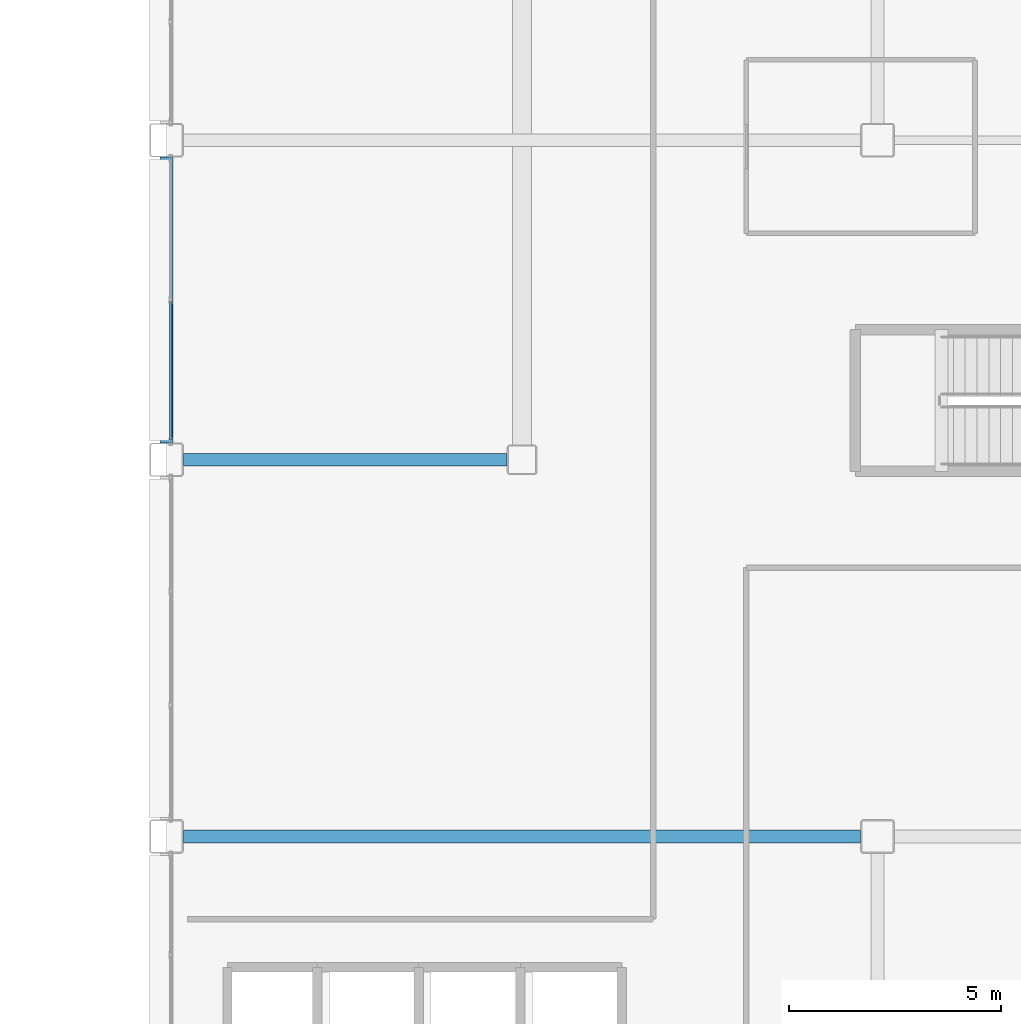
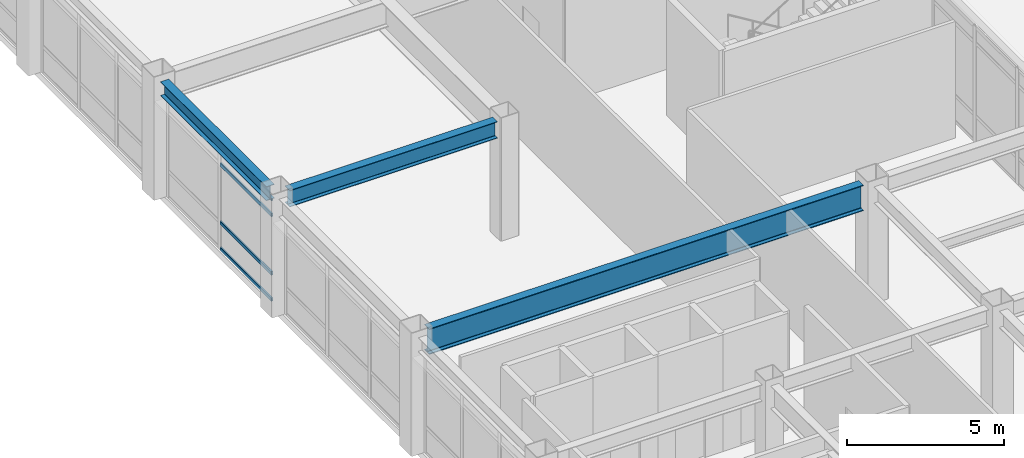
# One storey, part 111 of 172: 4 members, 3 beams, 1 element without a shape of its own.
"""IFC4 building model written with IfcOpenShell, lengths in metres."""

from ifc_helpers import new_model, si_unit, direction, frame, origin, origin_2d, place, context, subcontext, project, spatial, hollow_rectangle, i_section, extrude, material, layer, layer_set, material_profile, profile_set, type_object, element, aggregate, save


model = new_model("IFC4")

# Units and contexts
model_context = context("Model", 3, precision=1e-05, world=origin(), true_north=direction((0.0, 1.0)))
body_context = subcontext(model_context, "Body", "Model", "MODEL_VIEW")
ifc_project = project(units=[si_unit("LENGTHUNIT", "METRE"), si_unit("AREAUNIT", "SQUARE_METRE"), si_unit("VOLUMEUNIT", "CUBIC_METRE"), si_unit("PLANEANGLEUNIT", "RADIAN"), si_unit("MASSUNIT", "GRAM", prefix="KILO")], contexts=[model_context])

# Site, building, storey
site_placement = place(None, origin())
site = spatial("IfcSite", under=ifc_project, at=site_placement, CompositionType="ELEMENT")
building_placement = place(site_placement, origin())
building = spatial("IfcBuilding", under=site, at=building_placement, Name="Kazehara Bluff Congress Hotel", CompositionType="ELEMENT")
storey_placement = place(building_placement, frame((0.0, 0.0, 5.39990234375)))
storey = spatial("IfcBuildingStorey", under=building, at=storey_placement, Name="L01", CompositionType="ELEMENT", Elevation=5.39990234375)

# Curtain wall, members
ifc_material_1 = material(Name="Anodised aluminium", Category="aluminium")
ifc_layer = layer(ifc_material_1, 0.159912109375)
ifc_layer_set = layer_set([ifc_layer], Name="Anodised aluminium")
curtain_wall_type = type_object("IfcCurtainWallType", Name="TP-CW-122", PredefinedType="NOTDEFINED", material=ifc_layer_set)
curtain_wall_placement = place(storey_placement, origin())
curtain_wall = element("IfcCurtainWall", 1, at=curtain_wall_placement, inside=storey, type_object=curtain_wall_type, Name="L01 curtain wall CW-122 CW-ENC-V5-L01-14380-7712", PredefinedType="NOTDEFINED")
ifc_material_2 = material(Name="Anodised aluminium", Category="aluminium")
ifc_material_profile_1 = material_profile(ifc_material_2, hollow_rectangle(XDim=0.06494140625, YDim=0.139892578125, WallThickness=0.00390625, InnerFilletRadius=0.00390625, OuterFilletRadius=0.008056640625, at=origin_2d()))
ifc_profile_set_1 = profile_set([ifc_material_profile_1], Name="Anodised aluminium")
member_type = type_object("IfcMemberType", Name="TP-CWT-02", PredefinedType="USERDEFINED", material=ifc_profile_set_1)
member_1_placement = place(storey_placement, frame((143.800048828125, 73.81494140625, 0.03271484375), z_axis=(0.0, 1.0, 0.0), x_axis=(-1.0, 0.0, 0.0)))
member_1 = element("IfcMember", 2, at=member_1_placement, type_object=member_type, Name="CW-122 transom 1.1", ObjectType="TRANSOM", PredefinedType="USERDEFINED", context=body_context, shape_type="SweptSolid", body=[
    extrude(hollow_rectangle(XDim=0.06494140625, YDim=0.139892578125, WallThickness=0.00390625, InnerFilletRadius=0.00390625, OuterFilletRadius=0.008056640625, at=origin_2d()), origin(), (0.0, 0.0, 1.0), 3.277587890625),
])
member_2_placement = place(storey_placement, frame((143.800048828125, 73.81494140625, 1.050048828125), z_axis=(0.0, 1.0, 0.0), x_axis=(-1.0, 0.0, 0.0)))
member_2 = element("IfcMember", 3, at=member_2_placement, type_object=member_type, Name="CW-122 transom 1.2", ObjectType="TRANSOM", PredefinedType="USERDEFINED", context=body_context, shape_type="SweptSolid", body=[
    extrude(hollow_rectangle(XDim=0.06494140625, YDim=0.139892578125, WallThickness=0.00390625, InnerFilletRadius=0.00390625, OuterFilletRadius=0.008056640625, at=origin_2d()), origin(), (0.0, 0.0, 1.0), 3.277587890625),
])
member_3_placement = place(storey_placement, frame((143.800048828125, 73.81494140625, 3.3251953125), z_axis=(0.0, 1.0, 0.0), x_axis=(-1.0, 0.0, 0.0)))
member_3 = element("IfcMember", 4, at=member_3_placement, type_object=member_type, Name="CW-122 transom 1.3", ObjectType="TRANSOM", PredefinedType="USERDEFINED", context=body_context, shape_type="SweptSolid", body=[
    extrude(hollow_rectangle(XDim=0.06494140625, YDim=0.139892578125, WallThickness=0.00390625, InnerFilletRadius=0.00390625, OuterFilletRadius=0.008056640625, at=origin_2d()), origin(), (0.0, 0.0, 1.0), 3.277587890625),
])
member_4_placement = place(storey_placement, frame((143.800048828125, 73.81494140625, 3.942626953125), z_axis=(0.0, 1.0, 0.0), x_axis=(-1.0, 0.0, 0.0)))
member_4 = element("IfcMember", 5, at=member_4_placement, type_object=member_type, Name="CW-122 transom 1.4", ObjectType="TRANSOM", PredefinedType="USERDEFINED", context=body_context, shape_type="SweptSolid", body=[
    extrude(hollow_rectangle(XDim=0.06494140625, YDim=0.139892578125, WallThickness=0.00390625, InnerFilletRadius=0.00390625, OuterFilletRadius=0.008056640625, at=origin_2d()), origin(), (0.0, 0.0, 1.0), 3.277587890625),
])
aggregate(curtain_wall, [member_1, member_2, member_3, member_4])

# Beams
ifc_material_3 = material(Name="Steel SN490B", Category="steel")
ifc_material_profile_2 = material_profile(ifc_material_3, i_section(OverallWidth=0.300048828125, OverallDepth=0.64990234375, WebThickness=0.011962890625, FlangeThickness=0.02001953125, FilletRadius=0.012939453125, at=origin_2d()))
ifc_profile_set_2 = profile_set([ifc_material_profile_2], Name="Steel SN490B")
beam_type_1 = type_object("IfcBeamType", Name="TP-G-03", PredefinedType="BEAM", material=ifc_profile_set_2)
beam_1_placement = place(storey_placement, frame((144.10009765625, 73.35009765625, 4.22509765625), z_axis=(1.0, 0.0, 0.0), x_axis=(0.0, 1.0, 0.0)))
element("IfcBeam", 6, at=beam_1_placement, inside=storey, type_object=beam_type_1, Name="L01 girder G-03 305", PredefinedType="BEAM", context=body_context, shape_type="SweptSolid", body=[
    extrude(i_section(OverallWidth=0.300048828125, OverallDepth=0.64990234375, WebThickness=0.011962890625, FlangeThickness=0.02001953125, FilletRadius=0.012939453125, at=origin_2d()), origin(), (0.0, 0.0, 1.0), 7.64990234375),
])
ifc_material_4 = material(Name="Steel SN490B", Category="steel")
ifc_material_profile_3 = material_profile(ifc_material_4, i_section(OverallWidth=0.300048828125, OverallDepth=1.0, WebThickness=0.01611328125, FlangeThickness=0.028076171875, FilletRadius=0.02197265625, at=origin_2d()))
ifc_profile_set_3 = profile_set([ifc_material_profile_3], Name="Steel SN490B")
beam_type_2 = type_object("IfcBeamType", Name="TP-G-09", PredefinedType="BEAM", material=ifc_profile_set_3)
beam_2_placement = place(storey_placement, frame((144.10009765625, 64.449951171875, 4.050048828125), z_axis=(1.0, 0.0, 0.0), x_axis=(0.0, 1.0, 0.0)))
element("IfcBeam", 7, at=beam_2_placement, inside=storey, type_object=beam_type_2, Name="L01 girder G-09 303", PredefinedType="BEAM", context=body_context, shape_type="SweptSolid", body=[
    extrude(i_section(OverallWidth=0.300048828125, OverallDepth=1.0, WebThickness=0.01611328125, FlangeThickness=0.028076171875, FilletRadius=0.02197265625, at=origin_2d()), origin(), (0.0, 0.0, 1.0), 16.0),
])
ifc_material_5 = material(Name="Steel SN490B", Category="steel")
ifc_material_profile_4 = material_profile(ifc_material_5, i_section(OverallWidth=0.300048828125, OverallDepth=0.550048828125, WebThickness=0.010986328125, FlangeThickness=0.01806640625, FilletRadius=0.012939453125, at=origin_2d()))
ifc_profile_set_4 = profile_set([ifc_material_profile_4], Name="Steel SN490B")
beam_type_3 = type_object("IfcBeamType", Name="TP-SP-01", PredefinedType="SPANDREL", material=ifc_profile_set_4)
beam_3_placement = place(storey_placement, frame((143.699951171875, 73.75, 4.275146484375), z_axis=(0.0, 1.0, 0.0), x_axis=(-1.0, 0.0, 0.0)))
element("IfcBeam", 8, at=beam_3_placement, inside=storey, type_object=beam_type_3, Name="L01 girder SP-01 237", PredefinedType="SPANDREL", context=body_context, shape_type="SweptSolid", body=[
    extrude(i_section(OverallWidth=0.300048828125, OverallDepth=0.550048828125, WebThickness=0.010986328125, FlangeThickness=0.01806640625, FilletRadius=0.012939453125, at=origin_2d()), origin(), (0.0, 0.0, 1.0), 6.75),
])

save(model, "model.ifc")
